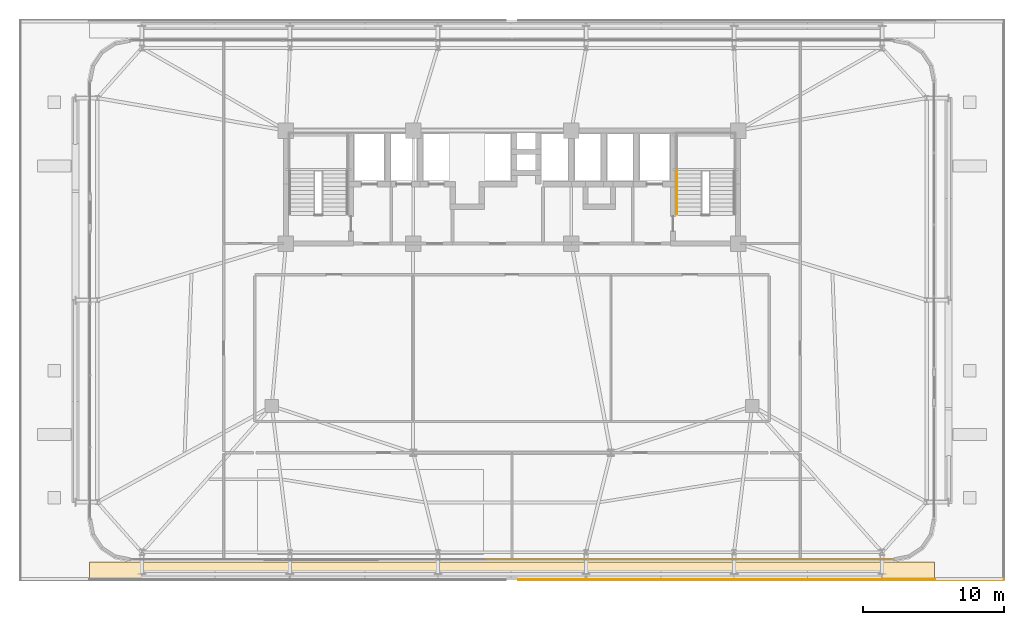
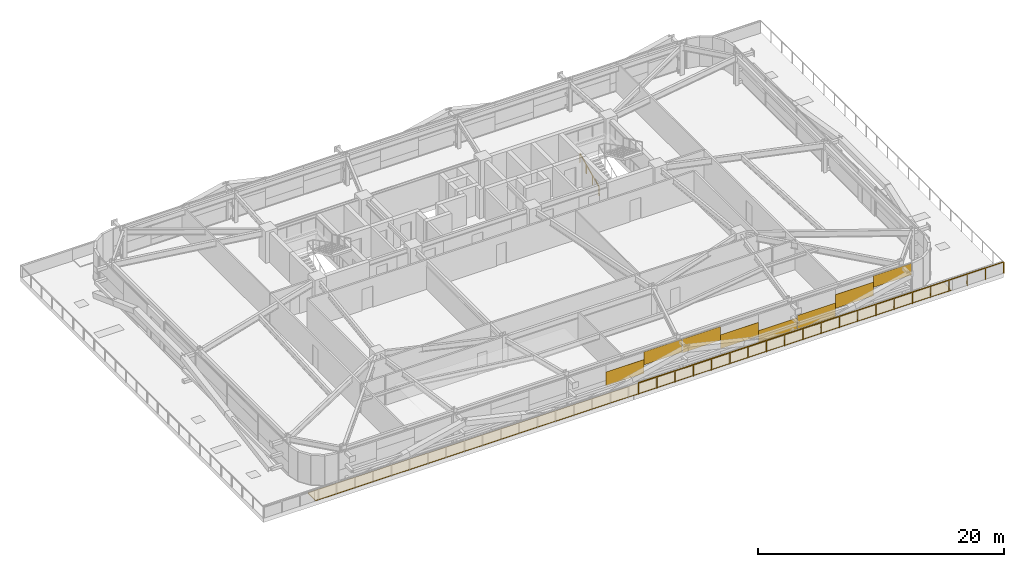
# One storey, part 54 of 56: 9 coverings, 2 railings.
"""IFC4 building model written with IfcOpenShell, lengths in metres."""

import ifcopenshell
import ifcopenshell.guid

model = None  # the IFC model being written
_history = None  # IfcOwnerHistory: only IFC2X3 demands one
_inside = {}  # id of a spatial element -> (the spatial element, [elements in it])
_under = {}  # id of a project, library or spatial element -> (it, [spatial elements below it])
_declared = {}  # id of a project -> (the project, [libraries it declares])
_typed = {}  # id of a type object -> (the type object, [elements of that type])
_made_of = {}  # id of a material, layer set ... -> (it, [elements and type objects made of it])


def new_model(schema):
    """Start an empty IFC model of exactly this schema.

    Asked for "IFC4X3", IfcOpenShell would pick the latest addendum, in which some entities
    have other attributes; the version numbers below select the first issue.
    IFC2X3 requires an IfcOwnerHistory on every rooted entity: one is made here for all.
    """
    global model, _history
    if schema == "IFC4X3":
        model = ifcopenshell.file(schema_version=(4, 3, 0, 0))
    else:
        model = ifcopenshell.file(schema=schema)
    _inside.clear()
    _under.clear()
    _declared.clear()
    _typed.clear()
    _made_of.clear()
    _history = None
    if model.schema == "IFC2X3":
        org = make("IfcOrganization", Name="unknown")
        user = make(
            "IfcPersonAndOrganization",
            ThePerson=make("IfcPerson", FamilyName="unknown"),
            TheOrganization=org,
        )
        app = make(
            "IfcApplication",
            ApplicationDeveloper=org,
            Version="unknown",
            ApplicationFullName="unknown",
            ApplicationIdentifier="unknown",
        )
        _history = make(
            "IfcOwnerHistory",
            OwningUser=user,
            OwningApplication=app,
            ChangeAction="ADDED",
            CreationDate=0,
        )
    return model


def make(cls, **values):
    """One entity of the class cls with the attributes given. An attribute that is None is left unset."""
    return model.create_entity(
        cls, **{name: value for name, value in values.items() if value is not None}
    )


def rooted(cls, **values):
    """An entity with a GlobalId (a new one), such as an element, a storey or a relation."""
    return make(cls, GlobalId=ifcopenshell.guid.new(), OwnerHistory=_history, **values)


def si_unit(unit_type, name, prefix=None):
    """IfcSIUnit, for example si_unit("LENGTHUNIT", "METRE", prefix="MILLI")."""
    return make("IfcSIUnit", UnitType=unit_type, Prefix=prefix, Name=name)


def assignment(units):
    """IfcUnitAssignment: the units of a project."""
    return None if units is None else make("IfcUnitAssignment", Units=units)


def point(xyz):
    """IfcCartesianPoint."""
    return None if xyz is None else make("IfcCartesianPoint", Coordinates=xyz)


def direction(xyz):
    """IfcDirection."""
    return None if xyz is None else make("IfcDirection", DirectionRatios=xyz)


def frame(location, z_axis=None, x_axis=None):
    """IfcAxis2Placement3D, a coordinate frame: its origin and axes. An axis left out is left unset."""
    return make(
        "IfcAxis2Placement3D",
        Location=point(location),
        Axis=direction(z_axis),
        RefDirection=direction(x_axis),
    )


def frame_2d(location, x_axis=None):
    """IfcAxis2Placement2D, a coordinate frame in the plane: its origin and x axis."""
    return make(
        "IfcAxis2Placement2D", Location=point(location), RefDirection=direction(x_axis)
    )


def origin():
    """The frame at (0, 0, 0) with its axes left unset."""
    return frame((0.0, 0.0, 0.0))


def origin_2d():
    """The frame at (0, 0) in the plane with its x axis left unset."""
    return frame_2d((0.0, 0.0))


def place(relative_to, where):
    """IfcLocalPlacement: puts the frame where relative to a parent placement (None: the world)."""
    return make(
        "IfcLocalPlacement", PlacementRelTo=relative_to, RelativePlacement=where
    )


def context(
    kind, dimensions, precision=None, world=None, true_north=None, identifier=None
):
    """IfcGeometricRepresentationContext, for example the 3D "Model" context."""
    return make(
        "IfcGeometricRepresentationContext",
        ContextIdentifier=identifier,
        ContextType=kind,
        CoordinateSpaceDimension=dimensions,
        Precision=precision,
        WorldCoordinateSystem=world,
        TrueNorth=true_north,
    )


def subcontext(parent, identifier, kind, view, scale=None):
    """IfcGeometricRepresentationSubContext, for example "Body" below "Model"."""
    return make(
        "IfcGeometricRepresentationSubContext",
        ContextIdentifier=identifier,
        ContextType=kind,
        ParentContext=parent,
        TargetScale=scale,
        TargetView=view,
    )


def project(units=None, contexts=None):
    """IfcProject with its units and contexts."""
    return rooted(
        "IfcProject",
        Name="project",
        RepresentationContexts=contexts,
        UnitsInContext=assignment(units),
    )


def spatial(cls, under=None, at=None, **own):
    """A site, building, storey or space (cls), placed at a placement, below another one or the project."""
    s = rooted(cls, ObjectPlacement=at, **own)
    if under is not None:
        _under.setdefault(under.id(), (under, []))[1].append(s)
    return s


def profile(cls, at=None, kind="AREA", **sizes):
    """A parametric profile (cls). Its sizes go by their IFC names, for example OverallWidth=200.0."""
    return make(cls, ProfileType=kind, Position=at, **sizes)


def rectangle(**sizes):
    """IfcRectangleProfileDef."""
    return profile("IfcRectangleProfileDef", **sizes)


def extrude(swept, where, along, depth):
    """IfcExtrudedAreaSolid: the profile swept, set in the frame where, extruded along a direction by depth."""
    return make(
        "IfcExtrudedAreaSolid",
        SweptArea=swept,
        Position=where,
        ExtrudedDirection=direction(along),
        Depth=depth,
    )


def shape(context_of_items, identifier, shape_type, items):
    """IfcShapeRepresentation: the items that make up one representation, for example the "Body"."""
    return make(
        "IfcShapeRepresentation",
        ContextOfItems=context_of_items,
        RepresentationIdentifier=identifier,
        RepresentationType=shape_type,
        Items=items,
    )


def source(mapping_origin, context_of_items, identifier, shape_type, items):
    """IfcRepresentationMap: a shape defined once, which mapped items show again and again."""
    return make(
        "IfcRepresentationMap",
        MappingOrigin=mapping_origin,
        MappedRepresentation=shape(context_of_items, identifier, shape_type, items),
    )


def transform(
    local_origin,
    x_axis=None,
    y_axis=None,
    z_axis=None,
    scale=None,
    scale2=None,
    scale3=None,
    uniform=True,
):
    """IfcCartesianTransformationOperator3D, or its non-uniform kind. x_axis, y_axis, z_axis: its Axis1, 2, 3."""
    if uniform:
        return make(
            "IfcCartesianTransformationOperator3D",
            Axis1=direction(x_axis),
            Axis2=direction(y_axis),
            LocalOrigin=point(local_origin),
            Scale=scale,
            Axis3=direction(z_axis),
        )
    return make(
        "IfcCartesianTransformationOperator3DnonUniform",
        Axis1=direction(x_axis),
        Axis2=direction(y_axis),
        LocalOrigin=point(local_origin),
        Scale=scale,
        Axis3=direction(z_axis),
        Scale2=scale2,
        Scale3=scale3,
    )


def mapped(mapping_source, mapping_target):
    """IfcMappedItem: shows the shape of a source again, moved by a transform."""
    return make(
        "IfcMappedItem", MappingSource=mapping_source, MappingTarget=mapping_target
    )


def material(Name=None, Category=None):
    """IfcMaterial."""
    return make("IfcMaterial", Name=Name, Category=Category)


def layer(
    of_material, thickness, ventilated=None, Name=None, Category=None, Priority=None
):
    """IfcMaterialLayer: one layer of a wall or slab, of a material (None: an air gap)."""
    return make(
        "IfcMaterialLayer",
        Material=of_material,
        LayerThickness=thickness,
        IsVentilated=ventilated,
        Name=Name,
        Category=Category,
        Priority=Priority,
    )


def layer_set(layers, Name=None):
    """IfcMaterialLayerSet."""
    return make("IfcMaterialLayerSet", MaterialLayers=layers, LayerSetName=Name)


def made_of(thing, what):
    """Note that an element or type object is made of a material, layer set ...; save() writes the relation."""
    if what is not None:
        _made_of.setdefault(what.id(), (what, []))[1].append(thing)
    return thing


def type_object(cls, material=None, **own):
    """A type object (cls), such as IfcWallType, which elements share."""
    return made_of(rooted(cls, **own), material)


def element(
    cls,
    number,
    at=None,
    inside=None,
    cuts=None,
    type_object=None,
    material=None,
    context=None,
    identifier="Body",
    shape_type=None,
    held_by="IfcProductDefinitionShape",
    body=None,
    shapes=None,
    **own,
):
    """One element of the class cls, such as IfcWall. Its Tag is "e" and its number.

    at: its placement. inside: the storey or other place that contains it. cuts: it is an
    opening in that element (IfcRelVoidsElement). A single representation is given by context,
    identifier, shape_type and body (its items); several are given by shapes. held_by: the class
    of the entity that holds the representations. save() writes the other relations.
    """
    e = rooted(cls, Tag="e%d" % number, ObjectPlacement=at, **own)
    if body is not None:
        shapes = [shape(context, identifier, shape_type, body)]
    if shapes is not None:
        e.Representation = make(held_by, Representations=shapes)
    if inside is not None:
        _inside.setdefault(inside.id(), (inside, []))[1].append(e)
    if cuts is not None:
        rooted(
            "IfcRelVoidsElement", RelatingBuildingElement=cuts, RelatedOpeningElement=e
        )
    if type_object is not None:
        _typed.setdefault(type_object.id(), (type_object, []))[1].append(e)
    return made_of(e, material)


def aggregate(whole, parts):
    """IfcRelAggregates: a whole, such as a stair, and the parts it consists of."""
    return rooted("IfcRelAggregates", RelatingObject=whole, RelatedObjects=parts)


def save(model, path):
    """Write the relations noted so far, then the file.

    IfcRelAggregates (storeys below a building ...), IfcRelContainedInSpatialStructure (elements
    in a storey), IfcRelDefinesByType, IfcRelAssociatesMaterial and IfcRelDeclares: one each for
    every whole, place, type object, material and project.
    """
    for whole, parts in _under.values():
        aggregate(whole, parts)
    for where, things in _inside.values():
        rooted(
            "IfcRelContainedInSpatialStructure",
            RelatedElements=things,
            RelatingStructure=where,
        )
    for kind, things in _typed.values():
        rooted("IfcRelDefinesByType", RelatedObjects=things, RelatingType=kind)
    for what, things in _made_of.values():
        rooted("IfcRelAssociatesMaterial", RelatedObjects=things, RelatingMaterial=what)
    for by, libraries in _declared.values():
        rooted("IfcRelDeclares", RelatingContext=by, RelatedDefinitions=libraries)
    model.write(path)


model = new_model("IFC4")

# Units and contexts
model_context = context("Model", 3, precision=1e-05, world=origin(), true_north=direction((0.0, 1.0)))
body_context = subcontext(model_context, "Body", "Model", "MODEL_VIEW")
ifc_project = project(units=[si_unit("LENGTHUNIT", "METRE"), si_unit("AREAUNIT", "SQUARE_METRE"), si_unit("VOLUMEUNIT", "CUBIC_METRE"), si_unit("PLANEANGLEUNIT", "RADIAN"), si_unit("MASSUNIT", "GRAM", prefix="KILO")], contexts=[model_context])

# Site, building, storey
site_placement = place(None, origin())
site = spatial("IfcSite", under=ifc_project, at=site_placement, CompositionType="ELEMENT")
building_placement = place(site_placement, origin())
building = spatial("IfcBuilding", under=site, at=building_placement, Name="Taldren Reach Tower", CompositionType="ELEMENT")
storey_placement = place(building_placement, frame((0.0, 0.0, 16.800048828125)))
storey = spatial("IfcBuildingStorey", under=building, at=storey_placement, Name="L04", CompositionType="ELEMENT", Elevation=16.800048828125)

# Railings
ifc_material_1 = material(Name="Stainless Steel Gr 316", Category="steel")
ifc_layer_1 = layer(ifc_material_1, 0.048095703125)
ifc_layer_set_1 = layer_set([ifc_layer_1], Name="Stainless Steel Gr 316")
railing_type_1 = type_object("IfcRailingType", Name="RL-STAIR-HR", PredefinedType="HANDRAIL", material=ifc_layer_set_1)
railing_1_placement = place(storey_placement, frame((46.669921875, 26.050048828125, 0.13134765625)))
element("IfcRailing", 1, at=railing_1_placement, inside=storey, type_object=railing_type_1, Name="Stair flight handrail ST2-L04-1", PredefinedType="HANDRAIL", context=body_context, shape_type="SweptSolid", body=[
    extrude(rectangle(XDim=0.047852, YDim=0.047852, at=origin_2d()), frame((0.0, 0.0, 0.89599609375), z_axis=(0.0, 0.905737652094, 0.423838773095), x_axis=(-1.0, 0.0, 0.0)), (0.0, 0.0, 1.0), 3.406005859375),
    extrude(rectangle(XDim=0.041992, YDim=0.041992, at=origin_2d()), origin(), (0.0, 0.0, 1.0), 0.871826171875),
    extrude(rectangle(XDim=0.041992, YDim=0.041992, at=origin_2d()), frame((0.0, 1.0283203125, 0.481201171875)), (0.0, 0.0, 1.0), 0.871826171875),
    extrude(rectangle(XDim=0.041992, YDim=0.041992, at=origin_2d()), frame((0.0, 2.056640625, 0.96240234375)), (0.0, 0.0, 1.0), 0.871826171875),
    extrude(rectangle(XDim=0.041992, YDim=0.041992, at=origin_2d()), frame((0.0, 3.0849609375, 1.443603515625)), (0.0, 0.0, 1.0), 0.871826171875),
])
ifc_material_2 = material(Name="Laminated Glass and Pale-Anodised Aluminium Balustrade", Category="aluminium")
ifc_layer_2 = layer(ifc_material_2, 0.070068359375)
ifc_layer_set_2 = layer_set([ifc_layer_2], Name="Laminated Glass and Pale-Anodised Aluminium Balustrade")
railing_type_2 = type_object("IfcRailingType", Name="RL-TERR-1150", PredefinedType="GUARDRAIL", material=ifc_layer_set_2)
railing_2_placement = place(storey_placement, frame((69.800048828125, 0.199951171875, 0.0)))
element("IfcRailing", 2, at=railing_2_placement, inside=storey, type_object=railing_type_2, Name="Outdoor terrace guardrail TERR-L04-EAST-03", PredefinedType="GUARDRAIL", context=body_context, shape_type="SweptSolid", body=[
    extrude(rectangle(XDim=0.047852, YDim=0.047852, at=origin_2d()), frame((0.0, 0.0, 1.1259765625), z_axis=(-1.0, 0.0, 0.0), x_axis=(0.0, -1.0, 0.0)), (0.0, 0.0, 1.0), 34.330078125),
    extrude(rectangle(XDim=0.041992, YDim=0.041992, at=origin_2d()), origin(), (0.0, 0.0, 1.0), 1.101806640625),
    extrude(rectangle(XDim=0.041992, YDim=0.041992, at=origin_2d()), frame((-1.716552734375, 0.0, 0.0)), (0.0, 0.0, 1.0), 1.101806640625),
    extrude(rectangle(XDim=0.041992, YDim=0.041992, at=origin_2d()), frame((-3.43310546875, 0.0, 0.0)), (0.0, 0.0, 1.0), 1.101806640625),
    extrude(rectangle(XDim=0.041992, YDim=0.041992, at=origin_2d()), frame((-5.1494140625, 0.0, 0.0)), (0.0, 0.0, 1.0), 1.101806640625),
    extrude(rectangle(XDim=0.041992, YDim=0.041992, at=origin_2d()), frame((-6.865966796875, 0.0, 0.0)), (0.0, 0.0, 1.0), 1.101806640625),
    extrude(rectangle(XDim=0.041992, YDim=0.041992, at=origin_2d()), frame((-8.58251953125, 0.0, 0.0)), (0.0, 0.0, 1.0), 1.101806640625),
    extrude(rectangle(XDim=0.041992, YDim=0.041992, at=origin_2d()), frame((-10.299072265625, 0.0, 0.0)), (0.0, 0.0, 1.0), 1.101806640625),
    extrude(rectangle(XDim=0.041992, YDim=0.041992, at=origin_2d()), frame((-12.015625, 0.0, 0.0)), (0.0, 0.0, 1.0), 1.101806640625),
    extrude(rectangle(XDim=0.041992, YDim=0.041992, at=origin_2d()), frame((-13.73193359375, 0.0, 0.0)), (0.0, 0.0, 1.0), 1.101806640625),
    extrude(rectangle(XDim=0.041992, YDim=0.041992, at=origin_2d()), frame((-15.448486328125, 0.0, 0.0)), (0.0, 0.0, 1.0), 1.101806640625),
    extrude(rectangle(XDim=0.041992, YDim=0.041992, at=origin_2d()), frame((-17.1650390625, 0.0, 0.0)), (0.0, 0.0, 1.0), 1.101806640625),
    extrude(rectangle(XDim=0.041992, YDim=0.041992, at=origin_2d()), frame((-18.881591796875, 0.0, 0.0)), (0.0, 0.0, 1.0), 1.101806640625),
    extrude(rectangle(XDim=0.041992, YDim=0.041992, at=origin_2d()), frame((-20.59814453125, 0.0, 0.0)), (0.0, 0.0, 1.0), 1.101806640625),
    extrude(rectangle(XDim=0.041992, YDim=0.041992, at=origin_2d()), frame((-22.314453125, 0.0, 0.0)), (0.0, 0.0, 1.0), 1.101806640625),
    extrude(rectangle(XDim=0.041992, YDim=0.041992, at=origin_2d()), frame((-24.031005859375, 0.0, 0.0)), (0.0, 0.0, 1.0), 1.101806640625),
    extrude(rectangle(XDim=0.041992, YDim=0.041992, at=origin_2d()), frame((-25.74755859375, 0.0, 0.0)), (0.0, 0.0, 1.0), 1.101806640625),
    extrude(rectangle(XDim=0.041992, YDim=0.041992, at=origin_2d()), frame((-27.464111328125, 0.0, 0.0)), (0.0, 0.0, 1.0), 1.101806640625),
    extrude(rectangle(XDim=0.041992, YDim=0.041992, at=origin_2d()), frame((-29.1806640625, 0.0, 0.0)), (0.0, 0.0, 1.0), 1.101806640625),
    extrude(rectangle(XDim=0.041992, YDim=0.041992, at=origin_2d()), frame((-30.89697265625, 0.0, 0.0)), (0.0, 0.0, 1.0), 1.101806640625),
    extrude(rectangle(XDim=0.041992, YDim=0.041992, at=origin_2d()), frame((-32.613525390625, 0.0, 0.0)), (0.0, 0.0, 1.0), 1.101806640625),
    extrude(rectangle(XDim=0.041992, YDim=0.041992, at=origin_2d()), frame((-34.330078125, 0.0, 0.0)), (0.0, 0.0, 1.0), 1.101806640625),
])

# Coverings
ifc_material_3 = material(Name="SBS Modified Bitumen Waterproofing and Ballast Membrane")
ifc_layer_3 = layer(ifc_material_3, 0.080078125)
ifc_layer_set_3 = layer_set([ifc_layer_3], Name="SBS Modified Bitumen Waterproofing and Ballast Membrane")
covering_type_1 = type_object("IfcCoveringType", Name="CV-ROOF-080", PredefinedType="ROOFING", material=ifc_layer_set_3)
shared_shape_1 = source(origin(), body_context, "Body", "SweptSolid", [
    extrude(rectangle(XDim=59.800048828125, YDim=1.260009765625, at=origin_2d()), origin(), (0.0, 0.0, 1.0), 0.080078125),
])
covering_1_placement = place(storey_placement, frame((35.0, 0.830078125, 0.0), z_axis=(0.0, 0.0, 1.0), x_axis=(1.0, 0.0, 0.0)))
element("IfcCovering", 3, at=covering_1_placement, inside=storey, type_object=covering_type_1, Name="Podium roof waterproofing membrane L04-S", PredefinedType="ROOFING", context=body_context, shape_type="MappedRepresentation", body=[
    mapped(shared_shape_1, transform((0.0, 0.0, 0.0), scale=1.0)),
])
ifc_material_4 = material(Name="Pale Champagne Fluoropolymer Aluminium Spandrel Cladding", Category="aluminium")
ifc_layer_4 = layer(ifc_material_4, 0.0439453125)
ifc_layer_set_4 = layer_set([ifc_layer_4], Name="Pale Champagne Fluoropolymer Aluminium Spandrel Cladding")
covering_type_2 = type_object("IfcCoveringType", Name="CV-CLAD-044", PredefinedType="CLADDING", material=ifc_layer_set_4)
shared_shape_2 = source(origin(), body_context, "Body", "SweptSolid", [
    extrude(rectangle(XDim=3.5673828125, YDim=0.0439453125, at=origin_2d()), origin(), (0.0, 0.0, 1.0), 1.36083984375),
])
covering_2_placement = place(storey_placement, frame((56.583740234375, 1.639892578125, 0.899169921875), z_axis=(0.0, 0.0, 1.0), x_axis=(1.0, 0.0, 0.0)))
element("IfcCovering", 4, at=covering_2_placement, inside=storey, type_object=covering_type_2, Name="Diagrid closure cladding strip CW-2 panel 5.1 2", PredefinedType="CLADDING", context=body_context, shape_type="MappedRepresentation", body=[
    mapped(shared_shape_2, transform((0.0, 0.0, 0.0), scale=1.0)),
])
shared_shape_3 = source(origin(), body_context, "Body", "SweptSolid", [
    extrude(rectangle(XDim=3.578369140625, YDim=0.0439453125, at=origin_2d()), origin(), (0.0, 0.0, 1.0), 1.36328125),
])
for number, where, z_axis, x_axis, name in (
    (5, (35.0, 1.639892578125, 0.75341796875), (0.0, 0.0, 1.0), (1.0, 0.0, 0.0), "Diagrid closure cladding strip CW-2 panel 3.1 2"),
    (6, (45.800048828125, 1.639892578125, 0.67919921875), (0.0, 0.0, 1.0), (1.0, 0.0, 0.0), "Diagrid closure cladding strip CW-2 panel 4.1 2"),
):
    element("IfcCovering", number, at=place(storey_placement, frame(where, z_axis=z_axis, x_axis=x_axis)), inside=storey, type_object=covering_type_2, Name=name, PredefinedType="CLADDING", context=body_context, shape_type="MappedRepresentation", body=[
        mapped(shared_shape_3, transform((0.0, 0.0, 0.0), scale=1.0)),
    ])
shared_shape_4 = source(origin(), body_context, "Body", "SweptSolid", [
    extrude(rectangle(XDim=3.578369140625, YDim=0.0439453125, at=origin_2d()), origin(), (0.0, 0.0, 1.0), 1.2919921875),
])
covering_3_placement = place(storey_placement, frame((38.578369140625, 1.639892578125, 1.5830078125), z_axis=(0.0, 0.0, 1.0), x_axis=(1.0, 0.0, 0.0)))
element("IfcCovering", 7, at=covering_3_placement, inside=storey, type_object=covering_type_2, Name="Diagrid closure cladding strip CW-2 panel 3.1 3", PredefinedType="CLADDING", context=body_context, shape_type="MappedRepresentation", body=[
    mapped(shared_shape_4, transform((0.0, 0.0, 0.0), scale=1.0)),
])
shared_shape_5 = source(origin(), body_context, "Body", "SweptSolid", [
    extrude(rectangle(XDim=3.578369140625, YDim=0.0439453125, at=origin_2d()), origin(), (0.0, 0.0, 1.0), 1.3662109375),
])
covering_4_placement = place(storey_placement, frame((42.2216796875, 1.639892578125, 1.5087890625), z_axis=(0.0, 0.0, 1.0), x_axis=(1.0, 0.0, 0.0)))
element("IfcCovering", 8, at=covering_4_placement, inside=storey, type_object=covering_type_2, Name="Diagrid closure cladding strip CW-2 panel 4.1 1", PredefinedType="CLADDING", context=body_context, shape_type="MappedRepresentation", body=[
    mapped(shared_shape_5, transform((0.0, 0.0, 0.0), scale=1.0)),
])
shared_shape_6 = source(origin(), body_context, "Body", "SweptSolid", [
    extrude(rectangle(XDim=3.578369140625, YDim=0.0439453125, at=origin_2d()), origin(), (0.0, 0.0, 1.0), 1.15771484375),
])
covering_5_placement = place(storey_placement, frame((49.37841796875, 1.639892578125, 0.054931640625), z_axis=(0.0, 0.0, 1.0), x_axis=(1.0, 0.0, 0.0)))
element("IfcCovering", 9, at=covering_5_placement, inside=storey, type_object=covering_type_2, Name="Diagrid closure cladding strip CW-2 panel 4.1 3", PredefinedType="CLADDING", context=body_context, shape_type="MappedRepresentation", body=[
    mapped(shared_shape_6, transform((0.0, 0.0, 0.0), scale=1.0)),
])
shared_shape_7 = source(origin(), body_context, "Body", "SweptSolid", [
    extrude(rectangle(XDim=3.5673828125, YDim=0.0439453125, at=origin_2d()), origin(), (0.0, 0.0, 1.0), 1.377685546875),
])
covering_6_placement = place(storey_placement, frame((53.016357421875, 1.639892578125, 0.05517578125), z_axis=(0.0, 0.0, 1.0), x_axis=(1.0, 0.0, 0.0)))
element("IfcCovering", 10, at=covering_6_placement, inside=storey, type_object=covering_type_2, Name="Diagrid closure cladding strip CW-2 panel 5.1 1", PredefinedType="CLADDING", context=body_context, shape_type="MappedRepresentation", body=[
    mapped(shared_shape_7, transform((0.0, 0.0, 0.0), scale=1.0)),
])
shared_shape_8 = source(origin(), body_context, "Body", "SweptSolid", [
    extrude(rectangle(XDim=3.5673828125, YDim=0.0439453125, at=origin_2d()), origin(), (0.0, 0.0, 1.0), 1.1484375),
])
covering_7_placement = place(storey_placement, frame((60.1513671875, 1.639892578125, 1.7265625), z_axis=(0.0, 0.0, 1.0), x_axis=(1.0, 0.0, 0.0)))
element("IfcCovering", 11, at=covering_7_placement, inside=storey, type_object=covering_type_2, Name="Diagrid closure cladding strip CW-2 panel 5.1 3", PredefinedType="CLADDING", context=body_context, shape_type="MappedRepresentation", body=[
    mapped(shared_shape_8, transform((0.0, 0.0, 0.0), scale=1.0)),
])

save(model, "model.ifc")
